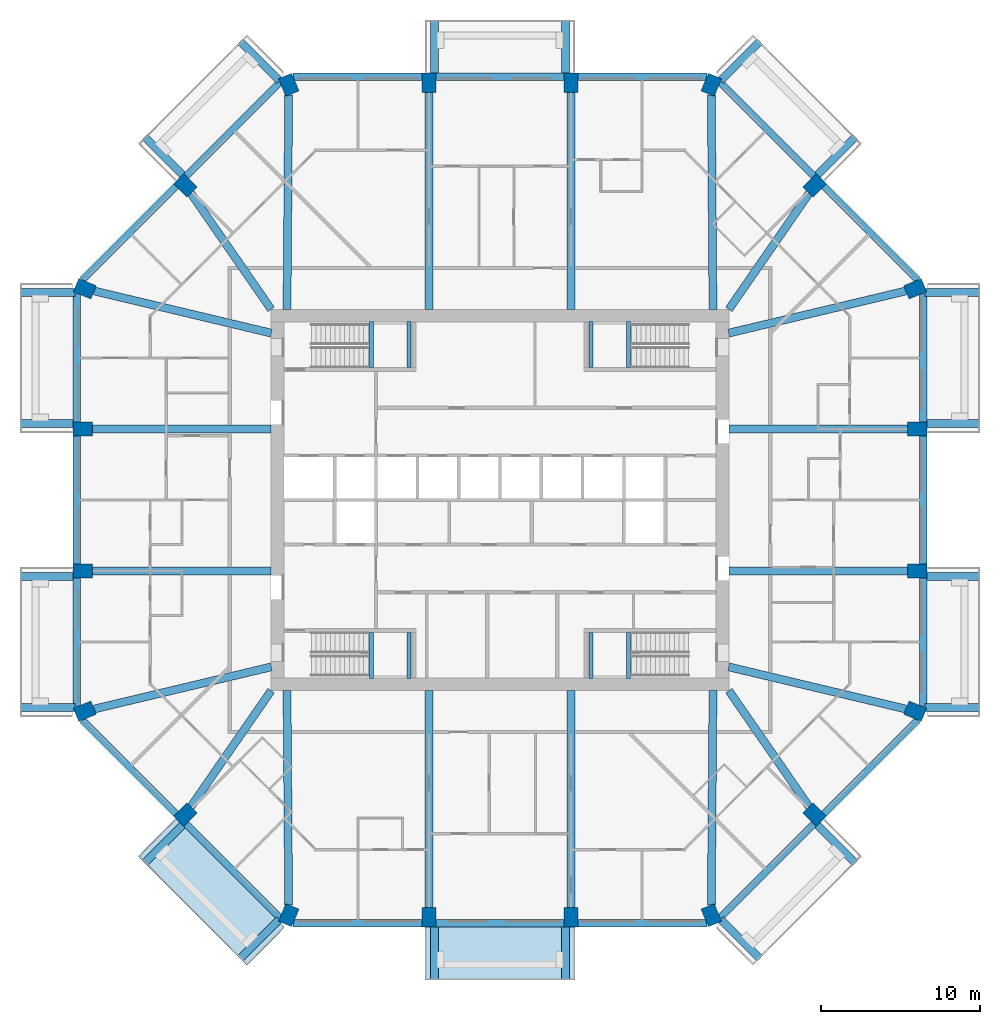
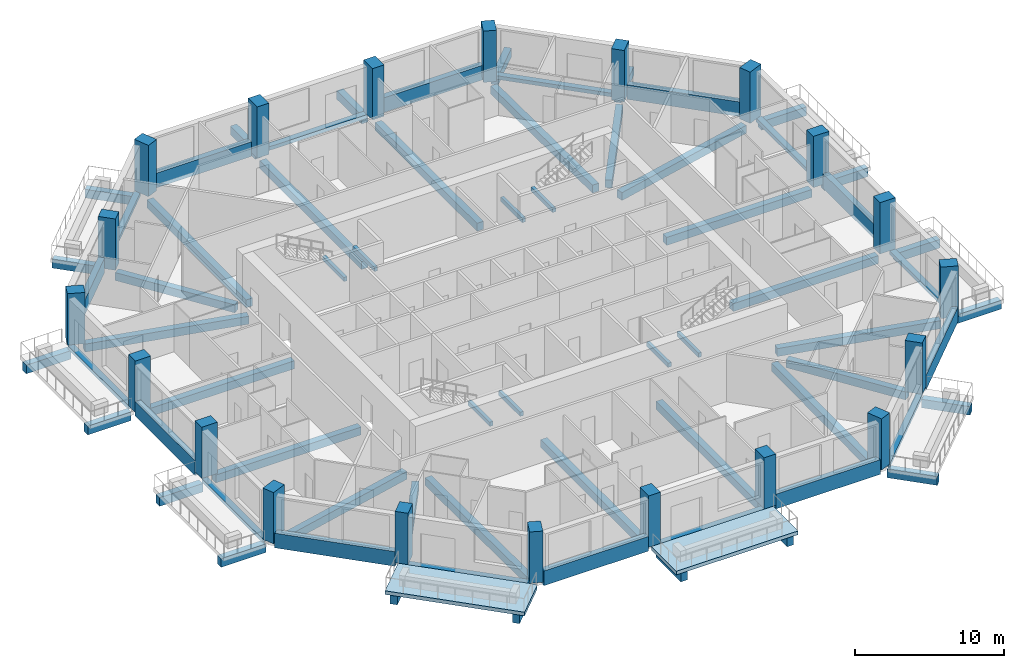
# One storey, part 1 of 13: 68 beams, 20 columns, 2 slabs.
"""IFC4 building model written with IfcOpenShell, lengths in metres."""

from ifc_helpers import new_model, si_unit, direction, frame, origin, origin_2d, place, context, subcontext, project, spatial, polyline, rectangle, outline, extrude, material, layer, layer_set, material_profile, profile_set, type_object, element, save


model = new_model("IFC4")

# Units and contexts
model_context = context("Model", 3, precision=1e-05, world=origin(), true_north=direction((0.0, 1.0)))
body_context = subcontext(model_context, "Body", "Model", "MODEL_VIEW")
ifc_project = project(units=[si_unit("LENGTHUNIT", "METRE"), si_unit("AREAUNIT", "SQUARE_METRE"), si_unit("VOLUMEUNIT", "CUBIC_METRE"), si_unit("PLANEANGLEUNIT", "RADIAN"), si_unit("MASSUNIT", "GRAM", prefix="KILO")], contexts=[model_context])

# Site, building, storey
site_placement = place(None, origin())
site = spatial("IfcSite", under=ifc_project, at=site_placement, CompositionType="ELEMENT")
building_placement = place(site_placement, origin())
building = spatial("IfcBuilding", under=site, at=building_placement, Name="Msitu Wima Residences", CompositionType="ELEMENT")
storey_placement = place(building_placement, frame((0.0, 0.0, 140.10009765625)))
storey = spatial("IfcBuildingStorey", under=building, at=storey_placement, Name="L32", CompositionType="ELEMENT", Elevation=140.10009765625)

# Columns
ifc_material_1 = material(Name="Concrete C70/85", Category="concrete")
ifc_material_profile_1 = material_profile(ifc_material_1, rectangle(XDim=0.89990234375, YDim=1.199951171875, at=origin_2d()), Name="RC 900x1200")
ifc_profile_set_1 = profile_set([ifc_material_profile_1], Name="Concrete C70/85")
column_type = type_object("IfcColumnType", Name="Column RC 900x1200 Concrete C70/85", PredefinedType="COLUMN", material=ifc_profile_set_1)
for number, where, z_axis, x_axis, name in (
    (1, (26.12353515625, -13.291259765625, 0.0), (0.0, 0.0, 1.0), (0.382683496864, 0.923879505795, 0.0), "Column L32 C-E0"),
    (2, (26.25, -4.46875, 0.0), (0.0, 0.0, 1.0), (0.0, 1.0, 0.0), "Column L32 C-E1"),
    (3, (26.25, 4.46875, 0.0), (0.0, 0.0, 1.0), (0.0, 1.0, 0.0), "Column L32 C-E2"),
    (4, (26.12353515625, 13.291259765625, 0.0), (0.0, 0.0, 1.0), (-0.382683496864, 0.923879505795, 0.0), "Column L32 C-NE0"),
    (5, (19.796875, 19.796875, 0.0), (0.0, 0.0, 1.0), (-0.707106781187, 0.707106781187, 0.0), "Column L32 C-NE1"),
    (6, (13.291259765625, 26.12353515625, 0.0), (0.0, 0.0, 1.0), (-0.923879505795, 0.382683496864, 0.0), "Column L32 C-N0"),
    (7, (4.46875, 26.25, 0.0), (0.0, 0.0, 1.0), (-1.0, 0.0, 0.0), "Column L32 C-N1"),
    (8, (-4.46875, 26.25, 0.0), (0.0, 0.0, 1.0), (-1.0, 0.0, 0.0), "Column L32 C-N2"),
    (9, (-13.291259765625, 26.12353515625, 0.0), (0.0, 0.0, 1.0), (-0.923879505795, -0.382683496864, 0.0), "Column L32 C-NW0"),
    (10, (-19.796875, 19.796875, 0.0), (0.0, 0.0, 1.0), (-0.707106781187, -0.707106781187, 0.0), "Column L32 C-NW1"),
    (11, (-26.12353515625, 13.291259765625, 0.0), (0.0, 0.0, 1.0), (-0.382683496864, -0.923879505795, 0.0), "Column L32 C-W0"),
    (12, (-26.25, 4.46875, 0.0), (0.0, 0.0, 1.0), (0.0, -1.0, 0.0), "Column L32 C-W1"),
    (13, (-26.25, -4.46875, 0.0), (0.0, 0.0, 1.0), (0.0, -1.0, 0.0), "Column L32 C-W2"),
    (14, (-26.12353515625, -13.291259765625, 0.0), (0.0, 0.0, 1.0), (0.382683496864, -0.923879505795, 0.0), "Column L32 C-SW0"),
    (15, (-19.796875, -19.796875, 0.0), (0.0, 0.0, 1.0), (0.707106781187, -0.707106781187, 0.0), "Column L32 C-SW1"),
    (16, (-13.291259765625, -26.12353515625, 0.0), (0.0, 0.0, 1.0), (0.923879505795, -0.382683496864, 0.0), "Column L32 C-S0"),
    (17, (-4.46875, -26.25, 0.0), (0.0, 0.0, 1.0), (1.0, 0.0, 0.0), "Column L32 C-S1"),
    (18, (4.46875, -26.25, 0.0), (0.0, 0.0, 1.0), (1.0, 0.0, 0.0), "Column L32 C-S2"),
    (19, (13.291259765625, -26.12353515625, 0.0), (0.0, 0.0, 1.0), (0.923879505795, 0.382683496864, 0.0), "Column L32 C-SE0"),
    (20, (19.796875, -19.796875, 0.0), (0.0, 0.0, 1.0), (0.707106781187, 0.707106781187, 0.0), "Column L32 C-SE1"),
):
    element("IfcColumn", number, at=place(storey_placement, frame(where, z_axis=z_axis, x_axis=x_axis)), inside=storey, type_object=column_type, Name=name, PredefinedType="COLUMN", context=body_context, shape_type="SweptSolid", body=[
        extrude(rectangle(XDim=0.89990234375, YDim=1.199951171875, at=origin_2d()), origin(), (0.0, 0.0, 1.0), 4.199951171875),
    ])

# Beams
ifc_material_2 = material(Name="Concrete C50/60", Category="concrete")
ifc_material_profile_2 = material_profile(ifc_material_2, rectangle(XDim=0.5, YDim=0.64990234375, at=origin_2d()), Name="RC 500x650")
ifc_profile_set_2 = profile_set([ifc_material_profile_2], Name="Concrete C50/60")
beam_type_1 = type_object("IfcBeamType", Name="Beam RC 500x650 Concrete C50/60", PredefinedType="BEAM", material=ifc_profile_set_2)
beam_1_placement = place(storey_placement, frame((25.5322265625, -13.150634765625, -0.5751953125), z_axis=(-0.972805528659, 0.231623408598, 0.0), x_axis=(-0.231623408598, -0.972805528659, 0.0)))
element("IfcBeam", 21, at=beam_1_placement, inside=storey, type_object=beam_type_1, Name="Beam L32 C-E0", PredefinedType="BEAM", context=body_context, shape_type="SweptSolid", body=[
    extrude(rectangle(XDim=0.5, YDim=0.64990234375, at=origin_2d()), origin(), (0.0, 0.0, 1.0), 11.455322265625),
])
for number, where, z_axis, x_axis, name in (
    (22, (25.64990234375, -4.46875, -0.5751953125), (-1.0, 0.0, 0.0), (0.0, -1.0, 0.0), "Beam L32 C-E1"),
    (23, (25.64990234375, 4.46875, -0.5751953125), (-1.0, 0.0, 0.0), (0.0, -1.0, 0.0), "Beam L32 C-E2"),
):
    element("IfcBeam", number, at=place(storey_placement, frame(where, z_axis=z_axis, x_axis=x_axis)), inside=storey, type_object=beam_type_1, Name=name, PredefinedType="BEAM", context=body_context, shape_type="SweptSolid", body=[
        extrude(rectangle(XDim=0.5, YDim=0.64990234375, at=origin_2d()), origin(), (0.0, 0.0, 1.0), 11.25),
    ])
beam_2_placement = place(storey_placement, frame((25.5322265625, 13.150634765625, -0.5751953125), z_axis=(-0.972805528659, -0.231623408598, 0.0), x_axis=(0.231623408598, -0.972805528659, 0.0)))
element("IfcBeam", 24, at=beam_2_placement, inside=storey, type_object=beam_type_1, Name="Beam L32 C-NE0", PredefinedType="BEAM", context=body_context, shape_type="SweptSolid", body=[
    extrude(rectangle(XDim=0.5, YDim=0.64990234375, at=origin_2d()), origin(), (0.0, 0.0, 1.0), 11.455322265625),
])
beam_3_placement = place(storey_placement, frame((19.44970703125, 19.29541015625, -0.5751953125), z_axis=(-0.569144158363, -0.822237755763, 0.0), x_axis=(0.822237755763, -0.569144158363, 0.0)))
element("IfcBeam", 25, at=beam_3_placement, inside=storey, type_object=beam_type_1, Name="Beam L32 C-NE1", PredefinedType="BEAM", context=body_context, shape_type="SweptSolid", body=[
    extrude(rectangle(XDim=0.5, YDim=0.64990234375, at=origin_2d()), origin(), (0.0, 0.0, 1.0), 8.87255859375),
])
beam_4_placement = place(storey_placement, frame((13.29638671875, 25.471923828125, -0.5751953125), z_axis=(0.007694865426, -0.999970394085, 0.0), x_axis=(0.999970394085, 0.007694865426, 0.0)))
element("IfcBeam", 26, at=beam_4_placement, inside=storey, type_object=beam_type_1, Name="Beam L32 C-N0", PredefinedType="BEAM", context=body_context, shape_type="SweptSolid", body=[
    extrude(rectangle(XDim=0.5, YDim=0.64990234375, at=origin_2d()), origin(), (0.0, 0.0, 1.0), 13.484375),
])
for number, where, z_axis, x_axis, name in (
    (27, (4.46875, 25.64990234375, -0.5751953125), (0.0, -1.0, 0.0), (1.0, 0.0, 0.0), "Beam L32 C-N1"),
    (28, (-4.46875, 25.64990234375, -0.5751953125), (0.0, -1.0, 0.0), (1.0, 0.0, 0.0), "Beam L32 C-N2"),
):
    element("IfcBeam", number, at=place(storey_placement, frame(where, z_axis=z_axis, x_axis=x_axis)), inside=storey, type_object=beam_type_1, Name=name, PredefinedType="BEAM", context=body_context, shape_type="SweptSolid", body=[
        extrude(rectangle(XDim=0.5, YDim=0.64990234375, at=origin_2d()), origin(), (0.0, 0.0, 1.0), 13.64990234375),
    ])
beam_5_placement = place(storey_placement, frame((-13.29638671875, 25.471923828125, -0.5751953125), z_axis=(-0.007694865426, -0.999970394085, 0.0), x_axis=(0.999970394085, -0.007694865426, 0.0)))
element("IfcBeam", 29, at=beam_5_placement, inside=storey, type_object=beam_type_1, Name="Beam L32 C-NW0", PredefinedType="BEAM", context=body_context, shape_type="SweptSolid", body=[
    extrude(rectangle(XDim=0.5, YDim=0.64990234375, at=origin_2d()), origin(), (0.0, 0.0, 1.0), 13.484375),
])
beam_6_placement = place(storey_placement, frame((-19.44970703125, 19.29541015625, -0.5751953125), z_axis=(0.569144158363, -0.822237755763, 0.0), x_axis=(0.822237755763, 0.569144158363, 0.0)))
element("IfcBeam", 30, at=beam_6_placement, inside=storey, type_object=beam_type_1, Name="Beam L32 C-NW1", PredefinedType="BEAM", context=body_context, shape_type="SweptSolid", body=[
    extrude(rectangle(XDim=0.5, YDim=0.64990234375, at=origin_2d()), origin(), (0.0, 0.0, 1.0), 8.87255859375),
])
beam_7_placement = place(storey_placement, frame((-25.5322265625, 13.150634765625, -0.5751953125), z_axis=(0.972805528659, -0.231623408598, 0.0), x_axis=(0.231623408598, 0.972805528659, 0.0)))
element("IfcBeam", 31, at=beam_7_placement, inside=storey, type_object=beam_type_1, Name="Beam L32 C-W0", PredefinedType="BEAM", context=body_context, shape_type="SweptSolid", body=[
    extrude(rectangle(XDim=0.5, YDim=0.64990234375, at=origin_2d()), origin(), (0.0, 0.0, 1.0), 11.455322265625),
])
for number, where, z_axis, x_axis, name in (
    (32, (-25.64990234375, 4.46875, -0.5751953125), (1.0, 0.0, 0.0), (0.0, 1.0, 0.0), "Beam L32 C-W1"),
    (33, (-25.64990234375, -4.46875, -0.5751953125), (1.0, 0.0, 0.0), (0.0, 1.0, 0.0), "Beam L32 C-W2"),
):
    element("IfcBeam", number, at=place(storey_placement, frame(where, z_axis=z_axis, x_axis=x_axis)), inside=storey, type_object=beam_type_1, Name=name, PredefinedType="BEAM", context=body_context, shape_type="SweptSolid", body=[
        extrude(rectangle(XDim=0.5, YDim=0.64990234375, at=origin_2d()), origin(), (0.0, 0.0, 1.0), 11.25),
    ])
beam_8_placement = place(storey_placement, frame((-25.5322265625, -13.150634765625, -0.5751953125), z_axis=(0.972805528659, 0.231623408598, 0.0), x_axis=(-0.231623408598, 0.972805528659, 0.0)))
element("IfcBeam", 34, at=beam_8_placement, inside=storey, type_object=beam_type_1, Name="Beam L32 C-SW0", PredefinedType="BEAM", context=body_context, shape_type="SweptSolid", body=[
    extrude(rectangle(XDim=0.5, YDim=0.64990234375, at=origin_2d()), origin(), (0.0, 0.0, 1.0), 11.455322265625),
])
beam_9_placement = place(storey_placement, frame((-19.44970703125, -19.29541015625, -0.5751953125), z_axis=(0.569144158363, 0.822237755763, 0.0), x_axis=(-0.822237755763, 0.569144158363, 0.0)))
element("IfcBeam", 35, at=beam_9_placement, inside=storey, type_object=beam_type_1, Name="Beam L32 C-SW1", PredefinedType="BEAM", context=body_context, shape_type="SweptSolid", body=[
    extrude(rectangle(XDim=0.5, YDim=0.64990234375, at=origin_2d()), origin(), (0.0, 0.0, 1.0), 8.87255859375),
])
beam_10_placement = place(storey_placement, frame((-13.29638671875, -25.471923828125, -0.5751953125), z_axis=(-0.007694865426, 0.999970394085, 0.0), x_axis=(-0.999970394085, -0.007694865426, 0.0)))
element("IfcBeam", 36, at=beam_10_placement, inside=storey, type_object=beam_type_1, Name="Beam L32 C-S0", PredefinedType="BEAM", context=body_context, shape_type="SweptSolid", body=[
    extrude(rectangle(XDim=0.5, YDim=0.64990234375, at=origin_2d()), origin(), (0.0, 0.0, 1.0), 13.484375),
])
for number, where, z_axis, x_axis, name in (
    (37, (-4.46875, -25.64990234375, -0.5751953125), (0.0, 1.0, 0.0), (-1.0, 0.0, 0.0), "Beam L32 C-S1"),
    (38, (4.46875, -25.64990234375, -0.5751953125), (0.0, 1.0, 0.0), (-1.0, 0.0, 0.0), "Beam L32 C-S2"),
):
    element("IfcBeam", number, at=place(storey_placement, frame(where, z_axis=z_axis, x_axis=x_axis)), inside=storey, type_object=beam_type_1, Name=name, PredefinedType="BEAM", context=body_context, shape_type="SweptSolid", body=[
        extrude(rectangle(XDim=0.5, YDim=0.64990234375, at=origin_2d()), origin(), (0.0, 0.0, 1.0), 13.64990234375),
    ])
beam_11_placement = place(storey_placement, frame((13.29638671875, -25.471923828125, -0.5751953125), z_axis=(0.007694865426, 0.999970394085, 0.0), x_axis=(-0.999970394085, 0.007694865426, 0.0)))
element("IfcBeam", 39, at=beam_11_placement, inside=storey, type_object=beam_type_1, Name="Beam L32 C-SE0", PredefinedType="BEAM", context=body_context, shape_type="SweptSolid", body=[
    extrude(rectangle(XDim=0.5, YDim=0.64990234375, at=origin_2d()), origin(), (0.0, 0.0, 1.0), 13.484375),
])
beam_12_placement = place(storey_placement, frame((19.44970703125, -19.29541015625, -0.5751953125), z_axis=(-0.569144158363, 0.822237755763, 0.0), x_axis=(-0.822237755763, -0.569144158363, 0.0)))
element("IfcBeam", 40, at=beam_12_placement, inside=storey, type_object=beam_type_1, Name="Beam L32 C-SE1", PredefinedType="BEAM", context=body_context, shape_type="SweptSolid", body=[
    extrude(rectangle(XDim=0.5, YDim=0.64990234375, at=origin_2d()), origin(), (0.0, 0.0, 1.0), 8.87255859375),
])
ifc_material_profile_3 = material_profile(ifc_material_2, rectangle(XDim=0.5, YDim=0.699951171875, at=origin_2d()), Name="RC 500x700")
ifc_profile_set_3 = profile_set([ifc_material_profile_3], Name="Concrete C50/60")
beam_type_2 = type_object("IfcBeamType", Name="Cantilever beam RC 500x700 Concrete C50/60", PredefinedType="BEAM", material=ifc_profile_set_3)
beam_13_placement = place(storey_placement, frame((26.73095703125, -13.055908203125, -0.650146484375), z_axis=(1.0, 0.0, 0.0), x_axis=(0.0, 1.0, 0.0)))
element("IfcBeam", 41, at=beam_13_placement, inside=storey, type_object=beam_type_2, Name="Cantilever beam L32 BA-E0 A", PredefinedType="BEAM", context=body_context, shape_type="SweptSolid", body=[
    extrude(rectangle(XDim=0.5, YDim=0.699951171875, at=origin_2d()), origin(), (0.0, 0.0, 1.0), 3.468994140625),
])
for number, where, z_axis, x_axis, name in (
    (42, (26.85009765625, -4.818603515625, -0.650146484375), (1.0, 0.0, 0.0), (0.0, 1.0, 0.0), "Cantilever beam L32 BA-E0 B"),
    (43, (26.85009765625, 4.818603515625, -0.650146484375), (1.0, 0.0, 0.0), (0.0, 1.0, 0.0), "Cantilever beam L32 BA-E2 A"),
):
    element("IfcBeam", number, at=place(storey_placement, frame(where, z_axis=z_axis, x_axis=x_axis)), inside=storey, type_object=beam_type_2, Name=name, PredefinedType="BEAM", context=body_context, shape_type="SweptSolid", body=[
        extrude(rectangle(XDim=0.5, YDim=0.699951171875, at=origin_2d()), origin(), (0.0, 0.0, 1.0), 3.349853515625),
    ])
beam_14_placement = place(storey_placement, frame((26.73095703125, 13.055908203125, -0.650146484375), z_axis=(1.0, 0.0, 0.0), x_axis=(0.0, 1.0, 0.0)))
element("IfcBeam", 44, at=beam_14_placement, inside=storey, type_object=beam_type_2, Name="Cantilever beam L32 BA-E2 B", PredefinedType="BEAM", context=body_context, shape_type="SweptSolid", body=[
    extrude(rectangle(XDim=0.5, YDim=0.699951171875, at=origin_2d()), origin(), (0.0, 0.0, 1.0), 3.468994140625),
])
beam_15_placement = place(storey_placement, frame((19.9736328125, 20.46875, -0.650146484375), z_axis=(0.707143219659, 0.707070340836, 0.0), x_axis=(-0.707070340836, 0.707143219659, 0.0)))
element("IfcBeam", 45, at=beam_15_placement, inside=storey, type_object=beam_type_2, Name="Cantilever beam L32 BA-NE1 A", PredefinedType="BEAM", context=body_context, shape_type="SweptSolid", body=[
    extrude(rectangle(XDim=0.5, YDim=0.699951171875, at=origin_2d()), origin(), (0.0, 0.0, 1.0), 3.349853515625),
])
beam_16_placement = place(storey_placement, frame((13.887451171875, 26.386474609375, -0.650146484375), z_axis=(0.707071592116, 0.707141968506, 0.0), x_axis=(-0.707141968506, 0.707071592116, 0.0)))
element("IfcBeam", 46, at=beam_16_placement, inside=storey, type_object=beam_type_2, Name="Cantilever beam L32 BA-NE1 B", PredefinedType="BEAM", context=body_context, shape_type="SweptSolid", body=[
    extrude(rectangle(XDim=0.5, YDim=0.699951171875, at=origin_2d()), origin(), (0.0, 0.0, 1.0), 3.468994140625),
])
for number, where, z_axis, x_axis, name in (
    (47, (4.11865234375, 26.85009765625, -0.650146484375), (0.0, 1.0, 0.0), (-1.0, 0.0, 0.0), "Cantilever beam L32 BA-N1 A"),
    (48, (-4.11865234375, 26.85009765625, -0.650146484375), (0.0, 1.0, 0.0), (-1.0, 0.0, 0.0), "Cantilever beam L32 BA-N1 B"),
):
    element("IfcBeam", number, at=place(storey_placement, frame(where, z_axis=z_axis, x_axis=x_axis)), inside=storey, type_object=beam_type_2, Name=name, PredefinedType="BEAM", context=body_context, shape_type="SweptSolid", body=[
        extrude(rectangle(XDim=0.5, YDim=0.699951171875, at=origin_2d()), origin(), (0.0, 0.0, 1.0), 3.349853515625),
    ])
beam_17_placement = place(storey_placement, frame((-13.887451171875, 26.386474609375, -0.650146484375), z_axis=(-0.707071592116, 0.707141968506, 0.0), x_axis=(-0.707141968506, -0.707071592116, 0.0)))
element("IfcBeam", 49, at=beam_17_placement, inside=storey, type_object=beam_type_2, Name="Cantilever beam L32 BA-NW0 A", PredefinedType="BEAM", context=body_context, shape_type="SweptSolid", body=[
    extrude(rectangle(XDim=0.5, YDim=0.699951171875, at=origin_2d()), origin(), (0.0, 0.0, 1.0), 3.468994140625),
])
beam_18_placement = place(storey_placement, frame((-19.9736328125, 20.46875, -0.650146484375), z_axis=(-0.707143219659, 0.707070340836, 0.0), x_axis=(-0.707070340836, -0.707143219659, 0.0)))
element("IfcBeam", 50, at=beam_18_placement, inside=storey, type_object=beam_type_2, Name="Cantilever beam L32 BA-NW0 B", PredefinedType="BEAM", context=body_context, shape_type="SweptSolid", body=[
    extrude(rectangle(XDim=0.5, YDim=0.699951171875, at=origin_2d()), origin(), (0.0, 0.0, 1.0), 3.349853515625),
])
beam_19_placement = place(storey_placement, frame((-26.73095703125, 13.055908203125, -0.650146484375), z_axis=(-1.0, 0.0, 0.0), x_axis=(0.0, -1.0, 0.0)))
element("IfcBeam", 51, at=beam_19_placement, inside=storey, type_object=beam_type_2, Name="Cantilever beam L32 BA-W0 A", PredefinedType="BEAM", context=body_context, shape_type="SweptSolid", body=[
    extrude(rectangle(XDim=0.5, YDim=0.699951171875, at=origin_2d()), origin(), (0.0, 0.0, 1.0), 3.468994140625),
])
for number, where, z_axis, x_axis, name in (
    (52, (-26.85009765625, 4.818603515625, -0.650146484375), (-1.0, 0.0, 0.0), (0.0, -1.0, 0.0), "Cantilever beam L32 BA-W0 B"),
    (53, (-26.85009765625, -4.818603515625, -0.650146484375), (-1.0, 0.0, 0.0), (0.0, -1.0, 0.0), "Cantilever beam L32 BA-W2 A"),
):
    element("IfcBeam", number, at=place(storey_placement, frame(where, z_axis=z_axis, x_axis=x_axis)), inside=storey, type_object=beam_type_2, Name=name, PredefinedType="BEAM", context=body_context, shape_type="SweptSolid", body=[
        extrude(rectangle(XDim=0.5, YDim=0.699951171875, at=origin_2d()), origin(), (0.0, 0.0, 1.0), 3.349853515625),
    ])
beam_20_placement = place(storey_placement, frame((-26.73095703125, -13.055908203125, -0.650146484375), z_axis=(-1.0, 0.0, 0.0), x_axis=(0.0, -1.0, 0.0)))
element("IfcBeam", 54, at=beam_20_placement, inside=storey, type_object=beam_type_2, Name="Cantilever beam L32 BA-W2 B", PredefinedType="BEAM", context=body_context, shape_type="SweptSolid", body=[
    extrude(rectangle(XDim=0.5, YDim=0.699951171875, at=origin_2d()), origin(), (0.0, 0.0, 1.0), 3.468994140625),
])
beam_21_placement = place(storey_placement, frame((-19.9736328125, -20.46875, -0.650146484375), z_axis=(-0.707143219659, -0.707070340836, 0.0), x_axis=(0.707070340836, -0.707143219659, 0.0)))
element("IfcBeam", 55, at=beam_21_placement, inside=storey, type_object=beam_type_2, Name="Cantilever beam L32 BA-SW1 A", PredefinedType="BEAM", context=body_context, shape_type="SweptSolid", body=[
    extrude(rectangle(XDim=0.5, YDim=0.699951171875, at=origin_2d()), origin(), (0.0, 0.0, 1.0), 3.349853515625),
])
beam_22_placement = place(storey_placement, frame((-13.887451171875, -26.386474609375, -0.650146484375), z_axis=(-0.707071592116, -0.707141968506, 0.0), x_axis=(0.707141968506, -0.707071592116, 0.0)))
element("IfcBeam", 56, at=beam_22_placement, inside=storey, type_object=beam_type_2, Name="Cantilever beam L32 BA-SW1 B", PredefinedType="BEAM", context=body_context, shape_type="SweptSolid", body=[
    extrude(rectangle(XDim=0.5, YDim=0.699951171875, at=origin_2d()), origin(), (0.0, 0.0, 1.0), 3.468994140625),
])
for number, where, z_axis, x_axis, name in (
    (57, (-4.11865234375, -26.85009765625, -0.650146484375), (0.0, -1.0, 0.0), (1.0, 0.0, 0.0), "Cantilever beam L32 BA-S1 A"),
    (58, (4.11865234375, -26.85009765625, -0.650146484375), (0.0, -1.0, 0.0), (1.0, 0.0, 0.0), "Cantilever beam L32 BA-S1 B"),
):
    element("IfcBeam", number, at=place(storey_placement, frame(where, z_axis=z_axis, x_axis=x_axis)), inside=storey, type_object=beam_type_2, Name=name, PredefinedType="BEAM", context=body_context, shape_type="SweptSolid", body=[
        extrude(rectangle(XDim=0.5, YDim=0.699951171875, at=origin_2d()), origin(), (0.0, 0.0, 1.0), 3.349853515625),
    ])
beam_23_placement = place(storey_placement, frame((13.887451171875, -26.386474609375, -0.650146484375), z_axis=(0.707071592116, -0.707141968506, 0.0), x_axis=(0.707141968506, 0.707071592116, 0.0)))
element("IfcBeam", 59, at=beam_23_placement, inside=storey, type_object=beam_type_2, Name="Cantilever beam L32 BA-SE0 A", PredefinedType="BEAM", context=body_context, shape_type="SweptSolid", body=[
    extrude(rectangle(XDim=0.5, YDim=0.699951171875, at=origin_2d()), origin(), (0.0, 0.0, 1.0), 3.468994140625),
])
beam_24_placement = place(storey_placement, frame((19.9736328125, -20.46875, -0.650146484375), z_axis=(0.707143219659, -0.707070340836, 0.0), x_axis=(0.707070340836, 0.707143219659, 0.0)))
element("IfcBeam", 60, at=beam_24_placement, inside=storey, type_object=beam_type_2, Name="Cantilever beam L32 BA-SE0 B", PredefinedType="BEAM", context=body_context, shape_type="SweptSolid", body=[
    extrude(rectangle(XDim=0.5, YDim=0.699951171875, at=origin_2d()), origin(), (0.0, 0.0, 1.0), 3.349853515625),
])
ifc_material_profile_4 = material_profile(ifc_material_2, rectangle(XDim=0.449951171875, YDim=0.300048828125, at=origin_2d()), Name="RC 450x300")
ifc_profile_set_4 = profile_set([ifc_material_profile_4], Name="Concrete C50/60")
beam_type_3 = type_object("IfcBeamType", Name="Edge beam RC 450x300 Concrete C50/60", PredefinedType="SPANDREL", material=ifc_profile_set_4)
for number, where, z_axis, x_axis, name in (
    (61, (26.625, -13.02392578125, -0.150146484375), (0.0, 1.0, 0.0), (-1.0, 0.0, 0.0), "Spandrel L32 E0"),
    (62, (26.625, 4.918701171875, -0.150146484375), (0.0, 1.0, 0.0), (-1.0, 0.0, 0.0), "Spandrel L32 E2"),
):
    element("IfcBeam", number, at=place(storey_placement, frame(where, z_axis=z_axis, x_axis=x_axis)), inside=storey, type_object=beam_type_3, Name=name, PredefinedType="SPANDREL", context=body_context, shape_type="SweptSolid", body=[
        extrude(rectangle(XDim=0.449951171875, YDim=0.300048828125, at=origin_2d()), origin(), (0.0, 0.0, 1.0), 8.105224609375),
    ])
beam_25_placement = place(storey_placement, frame((19.743896484375, 20.380126953125, -0.150146484375), z_axis=(-0.707106781187, 0.707106781187, 0.0), x_axis=(-0.707106781187, -0.707106781187, 0.0)))
element("IfcBeam", 63, at=beam_25_placement, inside=storey, type_object=beam_type_3, Name="Spandrel L32 NE1", PredefinedType="SPANDREL", context=body_context, shape_type="SweptSolid", body=[
    extrude(rectangle(XDim=0.449951171875, YDim=0.300048828125, at=origin_2d()), origin(), (0.0, 0.0, 1.0), 8.3564453125),
])
beam_26_placement = place(storey_placement, frame((4.0185546875, 26.625, -0.150146484375), z_axis=(-1.0, 0.0, 0.0), x_axis=(0.0, -1.0, 0.0)))
element("IfcBeam", 64, at=beam_26_placement, inside=storey, type_object=beam_type_3, Name="Spandrel L32 N1", PredefinedType="SPANDREL", context=body_context, shape_type="SweptSolid", body=[
    extrude(rectangle(XDim=0.449951171875, YDim=0.300048828125, at=origin_2d()), origin(), (0.0, 0.0, 1.0), 8.037109375),
])
beam_27_placement = place(storey_placement, frame((-13.8349609375, 26.2890625, -0.150146484375), z_axis=(-0.707106781187, -0.707106781187, 0.0), x_axis=(0.707106781187, -0.707106781187, 0.0)))
element("IfcBeam", 65, at=beam_27_placement, inside=storey, type_object=beam_type_3, Name="Spandrel L32 NW0", PredefinedType="SPANDREL", context=body_context, shape_type="SweptSolid", body=[
    extrude(rectangle(XDim=0.449951171875, YDim=0.300048828125, at=origin_2d()), origin(), (0.0, 0.0, 1.0), 8.3564453125),
])
for number, where, z_axis, x_axis, name in (
    (66, (-26.625, 13.02392578125, -0.150146484375), (0.0, -1.0, 0.0), (1.0, 0.0, 0.0), "Spandrel L32 W0"),
    (67, (-26.625, -4.918701171875, -0.150146484375), (0.0, -1.0, 0.0), (1.0, 0.0, 0.0), "Spandrel L32 W2"),
):
    element("IfcBeam", number, at=place(storey_placement, frame(where, z_axis=z_axis, x_axis=x_axis)), inside=storey, type_object=beam_type_3, Name=name, PredefinedType="SPANDREL", context=body_context, shape_type="SweptSolid", body=[
        extrude(rectangle(XDim=0.449951171875, YDim=0.300048828125, at=origin_2d()), origin(), (0.0, 0.0, 1.0), 8.105224609375),
    ])
beam_28_placement = place(storey_placement, frame((-19.743896484375, -20.380126953125, -0.150146484375), z_axis=(0.707106781187, -0.707106781187, 0.0), x_axis=(0.707106781187, 0.707106781187, 0.0)))
element("IfcBeam", 68, at=beam_28_placement, inside=storey, type_object=beam_type_3, Name="Spandrel L32 SW1", PredefinedType="SPANDREL", context=body_context, shape_type="SweptSolid", body=[
    extrude(rectangle(XDim=0.449951171875, YDim=0.300048828125, at=origin_2d()), origin(), (0.0, 0.0, 1.0), 8.3564453125),
])
beam_29_placement = place(storey_placement, frame((-4.0185546875, -26.625, -0.150146484375), z_axis=(1.0, 0.0, 0.0), x_axis=(0.0, 1.0, 0.0)))
element("IfcBeam", 69, at=beam_29_placement, inside=storey, type_object=beam_type_3, Name="Spandrel L32 S1", PredefinedType="SPANDREL", context=body_context, shape_type="SweptSolid", body=[
    extrude(rectangle(XDim=0.449951171875, YDim=0.300048828125, at=origin_2d()), origin(), (0.0, 0.0, 1.0), 8.037109375),
])
beam_30_placement = place(storey_placement, frame((13.8349609375, -26.2890625, -0.150146484375), z_axis=(0.707106781187, 0.707106781187, 0.0), x_axis=(-0.707106781187, 0.707106781187, 0.0)))
element("IfcBeam", 70, at=beam_30_placement, inside=storey, type_object=beam_type_3, Name="Spandrel L32 SE0", PredefinedType="SPANDREL", context=body_context, shape_type="SweptSolid", body=[
    extrude(rectangle(XDim=0.449951171875, YDim=0.300048828125, at=origin_2d()), origin(), (0.0, 0.0, 1.0), 8.3564453125),
])
ifc_material_3 = material(Name="Concrete C40/50", Category="concrete")
ifc_material_profile_5 = material_profile(ifc_material_3, rectangle(XDim=0.25, YDim=0.35009765625, at=origin_2d()), Name="RC 250x350")
ifc_profile_set_5 = profile_set([ifc_material_profile_5], Name="Concrete C40/50")
beam_type_4 = type_object("IfcBeamType", Name="Landing beam RC 250x350", PredefinedType="BEAM", material=ifc_profile_set_5)
for number, where, z_axis, x_axis, name in (
    (71, (-8.074951171875, 8.324951171875, 1.724853515625), (0.0, 1.0, 0.0), (-1.0, 0.0, 0.0), "Stair 1 landing beam"),
    (72, (-5.72509765625, 8.324951171875, 1.724853515625), (0.0, 1.0, 0.0), (-1.0, 0.0, 0.0), "Stair 1 landing beam"),
    (73, (-8.074951171875, -11.22509765625, 1.724853515625), (0.0, 1.0, 0.0), (-1.0, 0.0, 0.0), "Stair 2 landing beam"),
    (74, (-5.72509765625, -11.22509765625, 1.724853515625), (0.0, 1.0, 0.0), (-1.0, 0.0, 0.0), "Stair 2 landing beam"),
    (75, (8.074951171875, 8.324951171875, 1.724853515625), (0.0, 1.0, 0.0), (-1.0, 0.0, 0.0), "Stair 3 landing beam"),
    (76, (5.72509765625, 8.324951171875, 1.724853515625), (0.0, 1.0, 0.0), (-1.0, 0.0, 0.0), "Stair 3 landing beam"),
    (77, (8.074951171875, -11.22509765625, 1.724853515625), (0.0, 1.0, 0.0), (-1.0, 0.0, 0.0), "Stair 4 landing beam"),
    (78, (5.72509765625, -11.22509765625, 1.724853515625), (0.0, 1.0, 0.0), (-1.0, 0.0, 0.0), "Stair 4 landing beam"),
):
    element("IfcBeam", number, at=place(storey_placement, frame(where, z_axis=z_axis, x_axis=x_axis)), inside=storey, type_object=beam_type_4, Name=name, PredefinedType="BEAM", context=body_context, shape_type="SweptSolid", body=[
        extrude(rectangle(XDim=0.25, YDim=0.35009765625, at=origin_2d()), origin(), (0.0, 0.0, 1.0), 2.900146484375),
    ])
ifc_material_profile_6 = material_profile(ifc_material_2, rectangle(XDim=0.449951171875, YDim=1.199951171875, at=origin_2d()), Name="RC 450x1200")
ifc_profile_set_6 = profile_set([ifc_material_profile_6], Name="Concrete C50/60")
beam_type_5 = type_object("IfcBeamType", Name="Spandrel RC 450x1200 Concrete C50/60", PredefinedType="SPANDREL", material=ifc_profile_set_6)
beam_31_placement = place(storey_placement, frame((26.625, -4.0185546875, 0.2998046875), z_axis=(0.0, 1.0, 0.0), x_axis=(-1.0, 0.0, 0.0)))
element("IfcBeam", 79, at=beam_31_placement, inside=storey, type_object=beam_type_5, Name="Spandrel L32 E1", PredefinedType="SPANDREL", context=body_context, shape_type="SweptSolid", body=[
    extrude(rectangle(XDim=0.449951171875, YDim=1.199951171875, at=origin_2d()), origin(), (0.0, 0.0, 1.0), 8.037109375),
])
beam_32_placement = place(storey_placement, frame((26.2890625, 13.8349609375, 0.2998046875), z_axis=(-0.707106781187, 0.707106781187, 0.0), x_axis=(-0.707106781187, -0.707106781187, 0.0)))
element("IfcBeam", 80, at=beam_32_placement, inside=storey, type_object=beam_type_5, Name="Spandrel L32 NE0", PredefinedType="SPANDREL", context=body_context, shape_type="SweptSolid", body=[
    extrude(rectangle(XDim=0.449951171875, YDim=1.199951171875, at=origin_2d()), origin(), (0.0, 0.0, 1.0), 8.3564453125),
])
for number, where, z_axis, x_axis, name in (
    (81, (13.02392578125, 26.625, 0.2998046875), (-1.0, 0.0, 0.0), (0.0, -1.0, 0.0), "Spandrel L32 N0"),
    (82, (-4.918701171875, 26.625, 0.2998046875), (-1.0, 0.0, 0.0), (0.0, -1.0, 0.0), "Spandrel L32 N2"),
):
    element("IfcBeam", number, at=place(storey_placement, frame(where, z_axis=z_axis, x_axis=x_axis)), inside=storey, type_object=beam_type_5, Name=name, PredefinedType="SPANDREL", context=body_context, shape_type="SweptSolid", body=[
        extrude(rectangle(XDim=0.449951171875, YDim=1.199951171875, at=origin_2d()), origin(), (0.0, 0.0, 1.0), 8.105224609375),
    ])
beam_33_placement = place(storey_placement, frame((-20.380126953125, 19.743896484375, 0.2998046875), z_axis=(-0.707106781187, -0.707106781187, 0.0), x_axis=(0.707106781187, -0.707106781187, 0.0)))
element("IfcBeam", 83, at=beam_33_placement, inside=storey, type_object=beam_type_5, Name="Spandrel L32 NW1", PredefinedType="SPANDREL", context=body_context, shape_type="SweptSolid", body=[
    extrude(rectangle(XDim=0.449951171875, YDim=1.199951171875, at=origin_2d()), origin(), (0.0, 0.0, 1.0), 8.3564453125),
])
beam_34_placement = place(storey_placement, frame((-26.625, 4.0185546875, 0.2998046875), z_axis=(0.0, -1.0, 0.0), x_axis=(1.0, 0.0, 0.0)))
element("IfcBeam", 84, at=beam_34_placement, inside=storey, type_object=beam_type_5, Name="Spandrel L32 W1", PredefinedType="SPANDREL", context=body_context, shape_type="SweptSolid", body=[
    extrude(rectangle(XDim=0.449951171875, YDim=1.199951171875, at=origin_2d()), origin(), (0.0, 0.0, 1.0), 8.037109375),
])
beam_35_placement = place(storey_placement, frame((-26.2890625, -13.8349609375, 0.2998046875), z_axis=(0.707106781187, -0.707106781187, 0.0), x_axis=(0.707106781187, 0.707106781187, 0.0)))
element("IfcBeam", 85, at=beam_35_placement, inside=storey, type_object=beam_type_5, Name="Spandrel L32 SW0", PredefinedType="SPANDREL", context=body_context, shape_type="SweptSolid", body=[
    extrude(rectangle(XDim=0.449951171875, YDim=1.199951171875, at=origin_2d()), origin(), (0.0, 0.0, 1.0), 8.3564453125),
])
for number, where, z_axis, x_axis, name in (
    (86, (-13.02392578125, -26.625, 0.2998046875), (1.0, 0.0, 0.0), (0.0, 1.0, 0.0), "Spandrel L32 S0"),
    (87, (4.918701171875, -26.625, 0.2998046875), (1.0, 0.0, 0.0), (0.0, 1.0, 0.0), "Spandrel L32 S2"),
):
    element("IfcBeam", number, at=place(storey_placement, frame(where, z_axis=z_axis, x_axis=x_axis)), inside=storey, type_object=beam_type_5, Name=name, PredefinedType="SPANDREL", context=body_context, shape_type="SweptSolid", body=[
        extrude(rectangle(XDim=0.449951171875, YDim=1.199951171875, at=origin_2d()), origin(), (0.0, 0.0, 1.0), 8.105224609375),
    ])
beam_36_placement = place(storey_placement, frame((20.380126953125, -19.743896484375, 0.2998046875), z_axis=(0.707106781187, 0.707106781187, 0.0), x_axis=(-0.707106781187, 0.707106781187, 0.0)))
element("IfcBeam", 88, at=beam_36_placement, inside=storey, type_object=beam_type_5, Name="Spandrel L32 SE1", PredefinedType="SPANDREL", context=body_context, shape_type="SweptSolid", body=[
    extrude(rectangle(XDim=0.449951171875, YDim=1.199951171875, at=origin_2d()), origin(), (0.0, 0.0, 1.0), 8.3564453125),
])

# Slabs
ifc_layer = layer(ifc_material_3, 0.300048828125)
ifc_layer_set = layer_set([ifc_layer], Name="Concrete C40/50")
slab_type = type_object("IfcSlabType", Name="Balcony slab BS300", PredefinedType="FLOOR", material=ifc_layer_set)
slab_1_placement = place(storey_placement, frame((0.0, 0.0, -0.300048828125)))
element("IfcSlab", 89, at=slab_1_placement, inside=storey, type_object=slab_type, Name="Balcony SW1 L32", PredefinedType="FLOOR", context=body_context, shape_type="SweptSolid", body=[
    extrude(outline(polyline([(-15.916015625, -29.263671875), (-22.766845703125, -22.4130859375), (-20.39794921875, -20.04443359375), (-13.59228515625, -26.85009765625), (-13.656005859375, -27.003662109375), (-15.916015625, -29.263671875)])), origin(), (0.0, 0.0, 1.0), 0.300048828125),
])
slab_2_placement = place(storey_placement, frame((0.0, 0.0, -0.300048828125)))
element("IfcSlab", 90, at=slab_2_placement, inside=storey, type_object=slab_type, Name="Balcony S1 L32", PredefinedType="FLOOR", context=body_context, shape_type="SweptSolid", body=[
    extrude(outline(polyline([(4.0185546875, -26.85009765625), (4.0185546875, -26.85009765625), (4.71875, -26.85009765625), (4.71875, -30.199951171875), (-4.71875, -30.199951171875), (-4.71875, -26.85009765625), (-4.0185546875, -26.85009765625), (-4.0185546875, -26.85009765625), (4.0185546875, -26.85009765625)])), origin(), (0.0, 0.0, 1.0), 0.300048828125),
])

save(model, "model.ifc")
